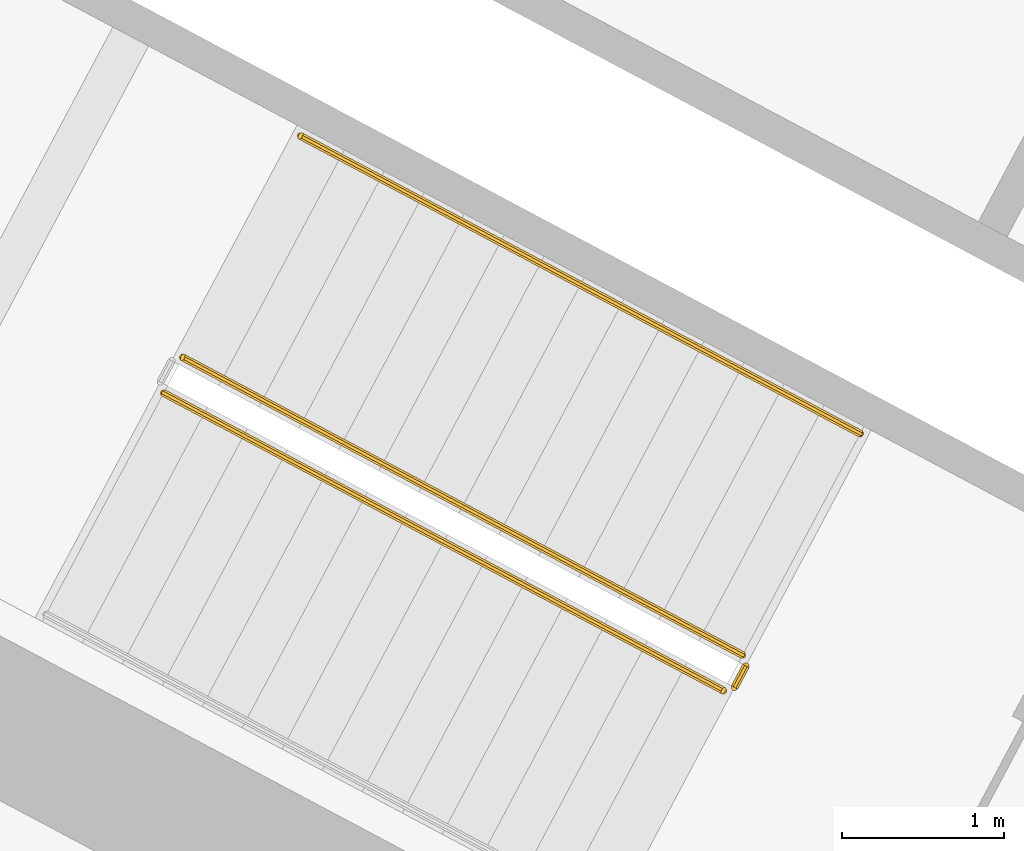
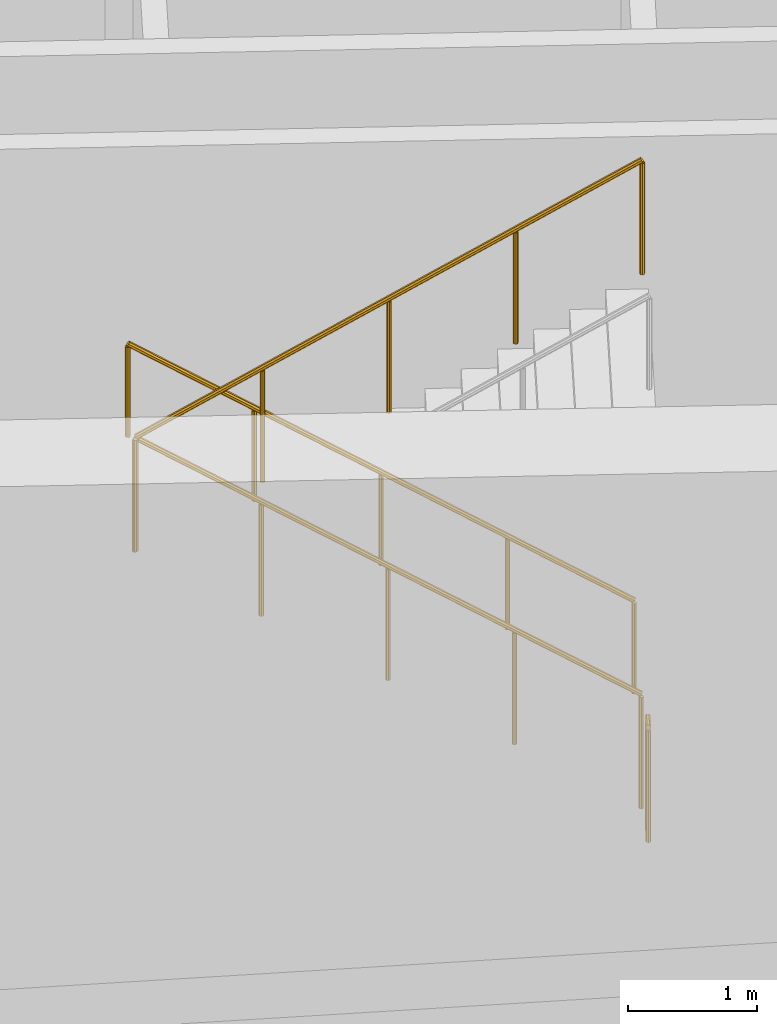
# One storey, part 22 of 30: 4 railings.
"""IFC4 building model written with IfcOpenShell, lengths in metres."""

import ifcopenshell
import ifcopenshell.guid

model = None  # the IFC model being written
_history = None  # IfcOwnerHistory: only IFC2X3 demands one
_inside = {}  # id of a spatial element -> (the spatial element, [elements in it])
_under = {}  # id of a project, library or spatial element -> (it, [spatial elements below it])
_declared = {}  # id of a project -> (the project, [libraries it declares])
_typed = {}  # id of a type object -> (the type object, [elements of that type])
_made_of = {}  # id of a material, layer set ... -> (it, [elements and type objects made of it])


def new_model(schema):
    """Start an empty IFC model of exactly this schema.

    Asked for "IFC4X3", IfcOpenShell would pick the latest addendum, in which some entities
    have other attributes; the version numbers below select the first issue.
    IFC2X3 requires an IfcOwnerHistory on every rooted entity: one is made here for all.
    """
    global model, _history
    if schema == "IFC4X3":
        model = ifcopenshell.file(schema_version=(4, 3, 0, 0))
    else:
        model = ifcopenshell.file(schema=schema)
    _inside.clear()
    _under.clear()
    _declared.clear()
    _typed.clear()
    _made_of.clear()
    _history = None
    if model.schema == "IFC2X3":
        org = make("IfcOrganization", Name="unknown")
        user = make(
            "IfcPersonAndOrganization",
            ThePerson=make("IfcPerson", FamilyName="unknown"),
            TheOrganization=org,
        )
        app = make(
            "IfcApplication",
            ApplicationDeveloper=org,
            Version="unknown",
            ApplicationFullName="unknown",
            ApplicationIdentifier="unknown",
        )
        _history = make(
            "IfcOwnerHistory",
            OwningUser=user,
            OwningApplication=app,
            ChangeAction="ADDED",
            CreationDate=0,
        )
    return model


def make(cls, **values):
    """One entity of the class cls with the attributes given. An attribute that is None is left unset."""
    return model.create_entity(
        cls, **{name: value for name, value in values.items() if value is not None}
    )


def rooted(cls, **values):
    """An entity with a GlobalId (a new one), such as an element, a storey or a relation."""
    return make(cls, GlobalId=ifcopenshell.guid.new(), OwnerHistory=_history, **values)


def si_unit(unit_type, name, prefix=None):
    """IfcSIUnit, for example si_unit("LENGTHUNIT", "METRE", prefix="MILLI")."""
    return make("IfcSIUnit", UnitType=unit_type, Prefix=prefix, Name=name)


def assignment(units):
    """IfcUnitAssignment: the units of a project."""
    return None if units is None else make("IfcUnitAssignment", Units=units)


def point(xyz):
    """IfcCartesianPoint."""
    return None if xyz is None else make("IfcCartesianPoint", Coordinates=xyz)


def direction(xyz):
    """IfcDirection."""
    return None if xyz is None else make("IfcDirection", DirectionRatios=xyz)


def frame(location, z_axis=None, x_axis=None):
    """IfcAxis2Placement3D, a coordinate frame: its origin and axes. An axis left out is left unset."""
    return make(
        "IfcAxis2Placement3D",
        Location=point(location),
        Axis=direction(z_axis),
        RefDirection=direction(x_axis),
    )


def origin():
    """The frame at (0, 0, 0) with its axes left unset."""
    return frame((0.0, 0.0, 0.0))


def place(relative_to, where):
    """IfcLocalPlacement: puts the frame where relative to a parent placement (None: the world)."""
    return make(
        "IfcLocalPlacement", PlacementRelTo=relative_to, RelativePlacement=where
    )


def context(
    kind, dimensions, precision=None, world=None, true_north=None, identifier=None
):
    """IfcGeometricRepresentationContext, for example the 3D "Model" context."""
    return make(
        "IfcGeometricRepresentationContext",
        ContextIdentifier=identifier,
        ContextType=kind,
        CoordinateSpaceDimension=dimensions,
        Precision=precision,
        WorldCoordinateSystem=world,
        TrueNorth=true_north,
    )


def subcontext(parent, identifier, kind, view, scale=None):
    """IfcGeometricRepresentationSubContext, for example "Body" below "Model"."""
    return make(
        "IfcGeometricRepresentationSubContext",
        ContextIdentifier=identifier,
        ContextType=kind,
        ParentContext=parent,
        TargetScale=scale,
        TargetView=view,
    )


def project(units=None, contexts=None):
    """IfcProject with its units and contexts."""
    return rooted(
        "IfcProject",
        Name="project",
        RepresentationContexts=contexts,
        UnitsInContext=assignment(units),
    )


def spatial(cls, under=None, at=None, **own):
    """A site, building, storey or space (cls), placed at a placement, below another one or the project."""
    s = rooted(cls, ObjectPlacement=at, **own)
    if under is not None:
        _under.setdefault(under.id(), (under, []))[1].append(s)
    return s


def polyline(points):
    """IfcPolyline through the points."""
    return make("IfcPolyline", Points=[point(p) for p in points])


def outline(outer, holes=None, kind="AREA"):
    """IfcArbitraryClosedProfileDef: a profile drawn as a closed curve; with holes, ...WithVoids."""
    if holes is None:
        return make("IfcArbitraryClosedProfileDef", ProfileType=kind, OuterCurve=outer)
    return make(
        "IfcArbitraryProfileDefWithVoids",
        ProfileType=kind,
        OuterCurve=outer,
        InnerCurves=holes,
    )


def extrude(swept, where, along, depth):
    """IfcExtrudedAreaSolid: the profile swept, set in the frame where, extruded along a direction by depth."""
    return make(
        "IfcExtrudedAreaSolid",
        SweptArea=swept,
        Position=where,
        ExtrudedDirection=direction(along),
        Depth=depth,
    )


def shape(context_of_items, identifier, shape_type, items):
    """IfcShapeRepresentation: the items that make up one representation, for example the "Body"."""
    return make(
        "IfcShapeRepresentation",
        ContextOfItems=context_of_items,
        RepresentationIdentifier=identifier,
        RepresentationType=shape_type,
        Items=items,
    )


def material(Name=None, Category=None):
    """IfcMaterial."""
    return make("IfcMaterial", Name=Name, Category=Category)


def made_of(thing, what):
    """Note that an element or type object is made of a material, layer set ...; save() writes the relation."""
    if what is not None:
        _made_of.setdefault(what.id(), (what, []))[1].append(thing)
    return thing


def type_object(cls, material=None, **own):
    """A type object (cls), such as IfcWallType, which elements share."""
    return made_of(rooted(cls, **own), material)


def element(
    cls,
    number,
    at=None,
    inside=None,
    cuts=None,
    type_object=None,
    material=None,
    context=None,
    identifier="Body",
    shape_type=None,
    held_by="IfcProductDefinitionShape",
    body=None,
    shapes=None,
    **own,
):
    """One element of the class cls, such as IfcWall. Its Tag is "e" and its number.

    at: its placement. inside: the storey or other place that contains it. cuts: it is an
    opening in that element (IfcRelVoidsElement). A single representation is given by context,
    identifier, shape_type and body (its items); several are given by shapes. held_by: the class
    of the entity that holds the representations. save() writes the other relations.
    """
    e = rooted(cls, Tag="e%d" % number, ObjectPlacement=at, **own)
    if body is not None:
        shapes = [shape(context, identifier, shape_type, body)]
    if shapes is not None:
        e.Representation = make(held_by, Representations=shapes)
    if inside is not None:
        _inside.setdefault(inside.id(), (inside, []))[1].append(e)
    if cuts is not None:
        rooted(
            "IfcRelVoidsElement", RelatingBuildingElement=cuts, RelatedOpeningElement=e
        )
    if type_object is not None:
        _typed.setdefault(type_object.id(), (type_object, []))[1].append(e)
    return made_of(e, material)


def aggregate(whole, parts):
    """IfcRelAggregates: a whole, such as a stair, and the parts it consists of."""
    return rooted("IfcRelAggregates", RelatingObject=whole, RelatedObjects=parts)


def save(model, path):
    """Write the relations noted so far, then the file.

    IfcRelAggregates (storeys below a building ...), IfcRelContainedInSpatialStructure (elements
    in a storey), IfcRelDefinesByType, IfcRelAssociatesMaterial and IfcRelDeclares: one each for
    every whole, place, type object, material and project.
    """
    for whole, parts in _under.values():
        aggregate(whole, parts)
    for where, things in _inside.values():
        rooted(
            "IfcRelContainedInSpatialStructure",
            RelatedElements=things,
            RelatingStructure=where,
        )
    for kind, things in _typed.values():
        rooted("IfcRelDefinesByType", RelatedObjects=things, RelatingType=kind)
    for what, things in _made_of.values():
        rooted("IfcRelAssociatesMaterial", RelatedObjects=things, RelatingMaterial=what)
    for by, libraries in _declared.values():
        rooted("IfcRelDeclares", RelatingContext=by, RelatedDefinitions=libraries)
    model.write(path)


model = new_model("IFC4")

# Units and contexts
model_context = context("Model", 3, precision=1e-05, world=origin(), true_north=direction((0.0, 1.0)))
body_context = subcontext(model_context, "Body", "Model", "MODEL_VIEW")
ifc_project = project(units=[si_unit("LENGTHUNIT", "METRE"), si_unit("AREAUNIT", "SQUARE_METRE"), si_unit("VOLUMEUNIT", "CUBIC_METRE"), si_unit("PLANEANGLEUNIT", "RADIAN"), si_unit("MASSUNIT", "GRAM", prefix="KILO")], contexts=[model_context])

# Site, building, storey
site_placement = place(None, origin())
site = spatial("IfcSite", under=ifc_project, at=site_placement, CompositionType="ELEMENT")
building_placement = place(site_placement, origin())
building = spatial("IfcBuilding", under=site, at=building_placement, Name="Cormorant Relay Tower", CompositionType="ELEMENT")
storey_placement = place(building_placement, frame((0.0, 0.0, 55.39990234375)))
storey = spatial("IfcBuildingStorey", under=building, at=storey_placement, Name="L10", CompositionType="ELEMENT", Elevation=55.39990234375)

# Railings
ifc_material_1 = material(Name="Steel ASTM A572 Grade 50 (Fy 345 MPa)", Category="steel")
railing_type_1 = type_object("IfcRailingType", Name="Stair guard 1100", PredefinedType="GUARDRAIL", material=ifc_material_1)
railing_1_placement = place(storey_placement, frame((-33.9921875, 10.08935546875, 0.18017578125)))
element("IfcRailing", 1, at=railing_1_placement, inside=storey, type_object=railing_type_1, Name="L10 A2 stair guard 1", PredefinedType="GUARDRAIL", context=body_context, shape_type="SweptSolid", body=[
    extrude(outline(polyline([(0.022216796875, 0.00927734375), (0.00927734375, 0.022216796875), (-0.00927734375, 0.022216796875), (-0.022216796875, 0.00927734375), (-0.022216796875, -0.00927734375), (-0.00927734375, -0.022216796875), (0.00927734375, -0.022216796875), (0.022216796875, -0.00927734375), (0.022216796875, 0.00927734375)])), frame((0.0, 0.0, 1.076171875), z_axis=(-0.74271721126, 0.394907409077, 0.540758062681), x_axis=(-0.469469396681, -0.882948744594, 0.0)), (0.0, 0.0, 1.0), 4.66015625),
    extrude(outline(polyline([(0.019287109375, 0.008056640625), (0.008056640625, 0.019287109375), (-0.008056640625, 0.019287109375), (-0.019287109375, 0.008056640625), (-0.019287109375, -0.008056640625), (-0.008056640625, -0.019287109375), (0.008056640625, -0.019287109375), (0.019287109375, -0.008056640625), (0.019287109375, 0.008056640625)])), origin(), (0.0, 0.0, 1.0), 1.052001953125),
    extrude(outline(polyline([(0.019287109375, 0.008056640625), (0.008056640625, 0.019287109375), (-0.008056640625, 0.019287109375), (-0.019287109375, 0.008056640625), (-0.019287109375, -0.008056640625), (-0.008056640625, -0.019287109375), (0.008056640625, -0.019287109375), (0.019287109375, -0.008056640625), (0.019287109375, 0.008056640625)])), frame((-0.865234375, 0.4599609375, 0.6298828125)), (0.0, 0.0, 1.0), 1.052001953125),
    extrude(outline(polyline([(0.019287109375, 0.008056640625), (0.008056640625, 0.019287109375), (-0.008056640625, 0.019287109375), (-0.019287109375, 0.008056640625), (-0.019287109375, -0.008056640625), (-0.008056640625, -0.019287109375), (0.008056640625, -0.019287109375), (0.019287109375, -0.008056640625), (0.019287109375, 0.008056640625)])), frame((-1.73046875, 0.920166015625, 1.260009765625)), (0.0, 0.0, 1.0), 1.052001953125),
    extrude(outline(polyline([(0.019287109375, 0.008056640625), (0.008056640625, 0.019287109375), (-0.008056640625, 0.019287109375), (-0.019287109375, 0.008056640625), (-0.019287109375, -0.008056640625), (-0.008056640625, -0.019287109375), (0.008056640625, -0.019287109375), (0.019287109375, -0.008056640625), (0.019287109375, 0.008056640625)])), frame((-2.595947265625, 1.38037109375, 1.89013671875)), (0.0, 0.0, 1.0), 1.052001953125),
    extrude(outline(polyline([(0.019287109375, 0.008056640625), (0.008056640625, 0.019287109375), (-0.008056640625, 0.019287109375), (-0.019287109375, 0.008056640625), (-0.019287109375, -0.008056640625), (-0.008056640625, -0.019287109375), (0.008056640625, -0.019287109375), (0.019287109375, -0.008056640625), (0.019287109375, 0.008056640625)])), frame((-3.461181640625, 1.84033203125, 2.52001953125)), (0.0, 0.0, 1.0), 1.052001953125),
])
railing_2_placement = place(storey_placement, frame((-37.57080078125, 11.708984375, 2.880126953125)))
element("IfcRailing", 2, at=railing_2_placement, inside=storey, type_object=railing_type_1, Name="L10 A2 stair guard 3", PredefinedType="GUARDRAIL", context=body_context, shape_type="SweptSolid", body=[
    extrude(outline(polyline([(0.022216796875, 0.00927734375), (0.00927734375, 0.022216796875), (-0.00927734375, 0.022216796875), (-0.022216796875, 0.00927734375), (-0.022216796875, -0.00927734375), (-0.00927734375, -0.022216796875), (0.00927734375, -0.022216796875), (0.022216796875, -0.00927734375), (0.022216796875, 0.00927734375)])), frame((0.0, 0.0, 1.076171875), z_axis=(0.74271721126, -0.394907409077, 0.540758062681), x_axis=(0.469469396681, 0.882948744594, 0.0)), (0.0, 0.0, 1.0), 4.66015625),
    extrude(outline(polyline([(0.019287109375, 0.008056640625), (0.008056640625, 0.019287109375), (-0.008056640625, 0.019287109375), (-0.019287109375, 0.008056640625), (-0.019287109375, -0.008056640625), (-0.008056640625, -0.019287109375), (0.008056640625, -0.019287109375), (0.019287109375, -0.008056640625), (0.019287109375, 0.008056640625)])), origin(), (0.0, 0.0, 1.0), 1.052001953125),
    extrude(outline(polyline([(0.019287109375, 0.008056640625), (0.008056640625, 0.019287109375), (-0.008056640625, 0.019287109375), (-0.019287109375, 0.008056640625), (-0.019287109375, -0.008056640625), (-0.008056640625, -0.019287109375), (0.008056640625, -0.019287109375), (0.019287109375, -0.008056640625), (0.019287109375, 0.008056640625)])), frame((0.865234375, -0.4599609375, 0.6298828125)), (0.0, 0.0, 1.0), 1.052001953125),
    extrude(outline(polyline([(0.019287109375, 0.008056640625), (0.008056640625, 0.019287109375), (-0.008056640625, 0.019287109375), (-0.019287109375, 0.008056640625), (-0.019287109375, -0.008056640625), (-0.008056640625, -0.019287109375), (0.008056640625, -0.019287109375), (0.019287109375, -0.008056640625), (0.019287109375, 0.008056640625)])), frame((1.73046875, -0.920166015625, 1.260009765625)), (0.0, 0.0, 1.0), 1.052001953125),
    extrude(outline(polyline([(0.019287109375, 0.008056640625), (0.008056640625, 0.019287109375), (-0.008056640625, 0.019287109375), (-0.019287109375, 0.008056640625), (-0.019287109375, -0.008056640625), (-0.008056640625, -0.019287109375), (0.008056640625, -0.019287109375), (0.019287109375, -0.008056640625), (0.019287109375, 0.008056640625)])), frame((2.595947265625, -1.38037109375, 1.89013671875)), (0.0, 0.0, 1.0), 1.052001953125),
    extrude(outline(polyline([(0.019287109375, 0.008056640625), (0.008056640625, 0.019287109375), (-0.008056640625, 0.019287109375), (-0.019287109375, 0.008056640625), (-0.019287109375, -0.008056640625), (-0.008056640625, -0.019287109375), (0.008056640625, -0.019287109375), (0.019287109375, -0.008056640625), (0.019287109375, 0.008056640625)])), frame((3.461181640625, -1.84033203125, 2.52001953125)), (0.0, 0.0, 1.0), 1.052001953125),
])
railing_3_placement = place(storey_placement, frame((-33.971435546875, 10.021728515625, 0.0)))
element("IfcRailing", 3, at=railing_3_placement, inside=storey, type_object=railing_type_1, Name="L10 A2 stair guard 4", PredefinedType="GUARDRAIL", context=body_context, shape_type="SweptSolid", body=[
    extrude(outline(polyline([(0.022216796875, 0.00927734375), (0.00927734375, 0.022216796875), (-0.00927734375, 0.022216796875), (-0.022216796875, 0.00927734375), (-0.022216796875, -0.00927734375), (-0.00927734375, -0.022216796875), (0.00927734375, -0.022216796875), (0.022216796875, -0.00927734375), (0.022216796875, 0.00927734375)])), frame((0.0, 0.0, 1.076171875), z_axis=(-0.470503732759, -0.882398003998, 0.0), x_axis=(0.882398003998, -0.470503732759, 0.0)), (0.0, 0.0, 1.0), 0.14990234375),
    extrude(outline(polyline([(0.019287109375, 0.008056640625), (0.008056640625, 0.019287109375), (-0.008056640625, 0.019287109375), (-0.019287109375, 0.008056640625), (-0.019287109375, -0.008056640625), (-0.008056640625, -0.019287109375), (0.008056640625, -0.019287109375), (0.019287109375, -0.008056640625), (0.019287109375, 0.008056640625)])), origin(), (0.0, 0.0, 1.0), 1.052001953125),
    extrude(outline(polyline([(0.019287109375, 0.008056640625), (0.008056640625, 0.019287109375), (-0.008056640625, 0.019287109375), (-0.019287109375, 0.008056640625), (-0.019287109375, -0.008056640625), (-0.008056640625, -0.019287109375), (0.008056640625, -0.019287109375), (0.019287109375, -0.008056640625), (0.019287109375, 0.008056640625)])), frame((-0.070556640625, -0.13232421875, 0.0)), (0.0, 0.0, 1.0), 1.052001953125),
])
ifc_material_2 = material(Name="Steel ASTM A572 Grade 50 (Fy 345 MPa)", Category="steel")
railing_type_2 = type_object("IfcRailingType", Name="Stair handrail 900", PredefinedType="HANDRAIL", material=ifc_material_2)
railing_4_placement = place(storey_placement, frame((-33.264404296875, 11.4580078125, 0.18017578125)))
element("IfcRailing", 4, at=railing_4_placement, inside=storey, type_object=railing_type_2, Name="L10 A2 stair handrail 1", PredefinedType="HANDRAIL", context=body_context, shape_type="SweptSolid", body=[
    extrude(outline(polyline([(0.022216796875, 0.00927734375), (0.00927734375, 0.022216796875), (-0.00927734375, 0.022216796875), (-0.022216796875, 0.00927734375), (-0.022216796875, -0.00927734375), (-0.00927734375, -0.022216796875), (0.00927734375, -0.022216796875), (0.022216796875, -0.00927734375), (0.022216796875, 0.00927734375)])), frame((0.0, 0.0, 0.8759765625), z_axis=(-0.74271721126, 0.394907409077, 0.540758062681), x_axis=(-0.469469396681, -0.882948744594, 0.0)), (0.0, 0.0, 1.0), 4.66015625),
    extrude(outline(polyline([(0.019287109375, 0.008056640625), (0.008056640625, 0.019287109375), (-0.008056640625, 0.019287109375), (-0.019287109375, 0.008056640625), (-0.019287109375, -0.008056640625), (-0.008056640625, -0.019287109375), (0.008056640625, -0.019287109375), (0.019287109375, -0.008056640625), (0.019287109375, 0.008056640625)])), origin(), (0.0, 0.0, 1.0), 0.851806640625),
    extrude(outline(polyline([(0.019287109375, 0.008056640625), (0.008056640625, 0.019287109375), (-0.008056640625, 0.019287109375), (-0.019287109375, 0.008056640625), (-0.019287109375, -0.008056640625), (-0.008056640625, -0.019287109375), (0.008056640625, -0.019287109375), (0.019287109375, -0.008056640625), (0.019287109375, 0.008056640625)])), frame((-0.865234375, 0.4599609375, 0.6298828125)), (0.0, 0.0, 1.0), 0.851806640625),
    extrude(outline(polyline([(0.019287109375, 0.008056640625), (0.008056640625, 0.019287109375), (-0.008056640625, 0.019287109375), (-0.019287109375, 0.008056640625), (-0.019287109375, -0.008056640625), (-0.008056640625, -0.019287109375), (0.008056640625, -0.019287109375), (0.019287109375, -0.008056640625), (0.019287109375, 0.008056640625)])), frame((-1.73046875, 0.920166015625, 1.260009765625)), (0.0, 0.0, 1.0), 0.851806640625),
    extrude(outline(polyline([(0.019287109375, 0.008056640625), (0.008056640625, 0.019287109375), (-0.008056640625, 0.019287109375), (-0.019287109375, 0.008056640625), (-0.019287109375, -0.008056640625), (-0.008056640625, -0.019287109375), (0.008056640625, -0.019287109375), (0.019287109375, -0.008056640625), (0.019287109375, 0.008056640625)])), frame((-2.595947265625, 1.38037109375, 1.89013671875)), (0.0, 0.0, 1.0), 0.851806640625),
    extrude(outline(polyline([(0.019287109375, 0.008056640625), (0.008056640625, 0.019287109375), (-0.008056640625, 0.019287109375), (-0.019287109375, 0.008056640625), (-0.019287109375, -0.008056640625), (-0.008056640625, -0.019287109375), (0.008056640625, -0.019287109375), (0.019287109375, -0.008056640625), (0.019287109375, 0.008056640625)])), frame((-3.461181640625, 1.84033203125, 2.52001953125)), (0.0, 0.0, 1.0), 0.851806640625),
])

save(model, "model.ifc")
